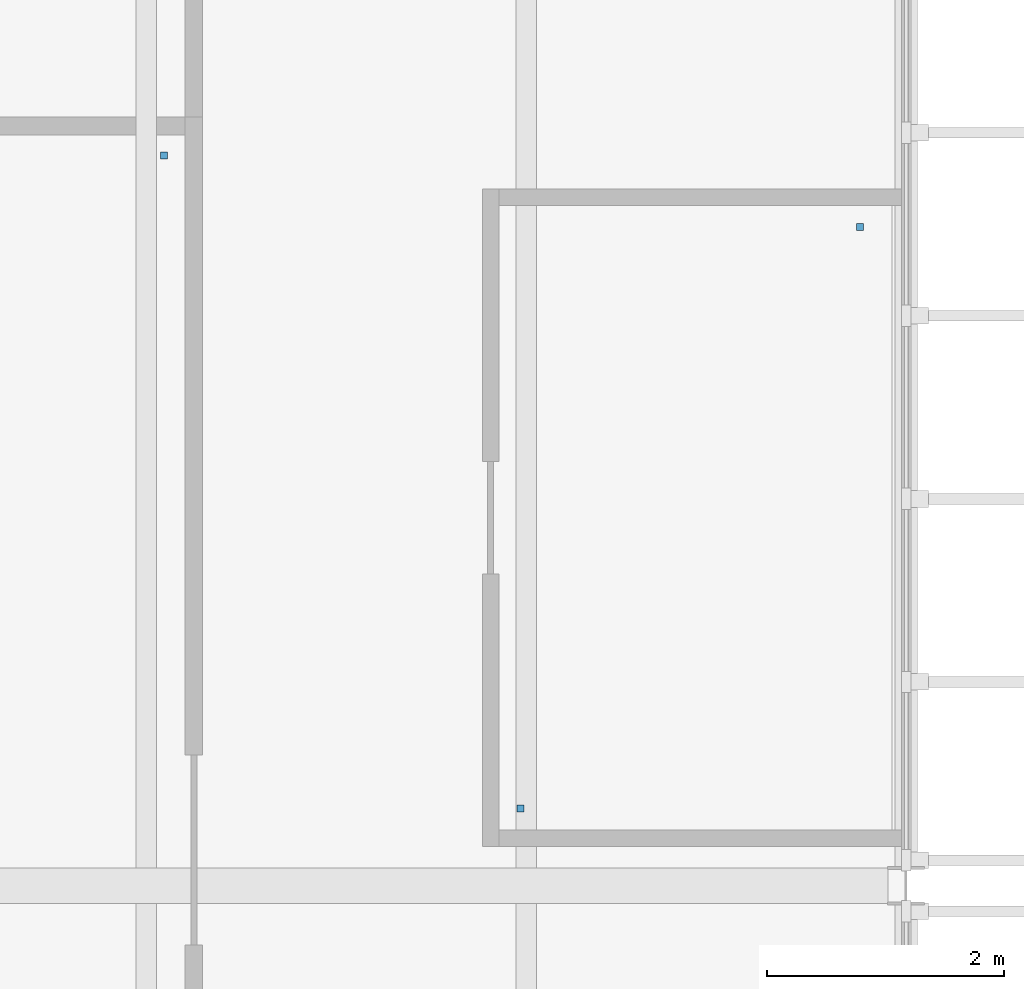
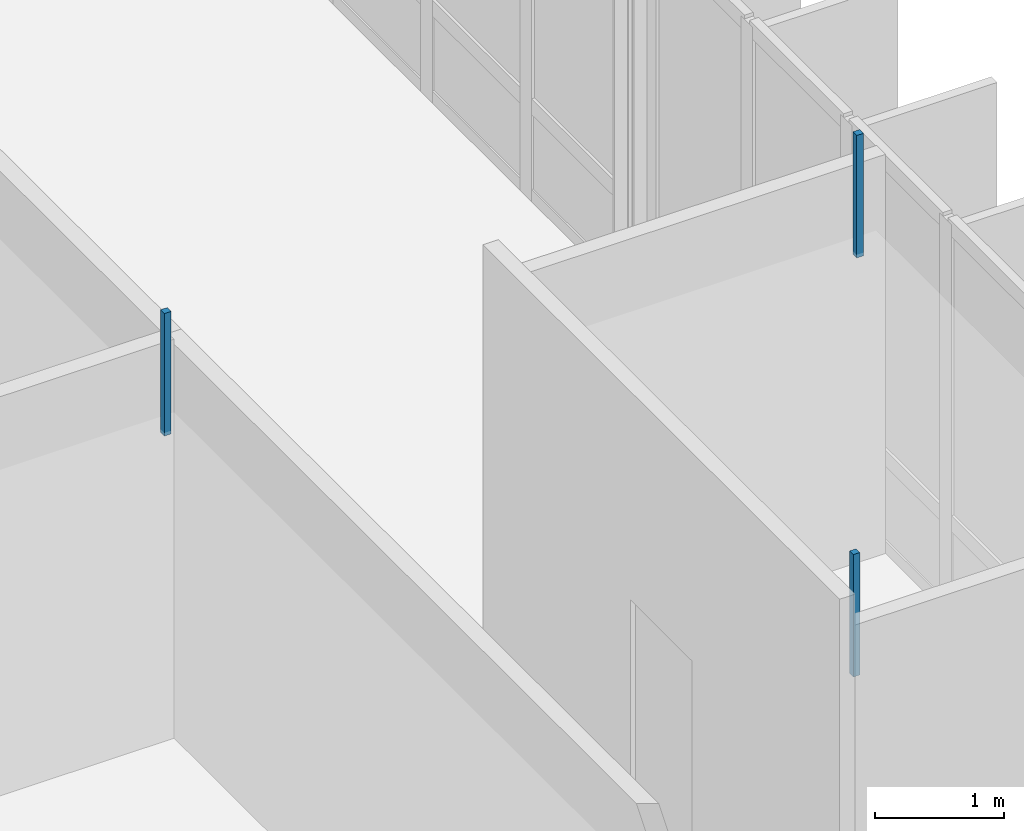
# One storey, part 84 of 110: 3 discrete accessories.
"""IFC4 building model written with IfcOpenShell, lengths in metres."""

from ifc_helpers import new_model, si_unit, direction, frame, origin, place, context, subcontext, project, spatial, polyline, outline, extrude, material, type_object, element, save


model = new_model("IFC4")

# Units and contexts
model_context = context("Model", 3, precision=1e-05, world=origin(), true_north=direction((0.0, 1.0)))
body_context = subcontext(model_context, "Body", "Model", "MODEL_VIEW")
ifc_project = project(units=[si_unit("LENGTHUNIT", "METRE"), si_unit("AREAUNIT", "SQUARE_METRE"), si_unit("VOLUMEUNIT", "CUBIC_METRE"), si_unit("PLANEANGLEUNIT", "RADIAN"), si_unit("MASSUNIT", "GRAM", prefix="KILO")], contexts=[model_context])

# Site, building, storey
site_placement = place(None, origin())
site = spatial("IfcSite", under=ifc_project, at=site_placement, CompositionType="ELEMENT")
building_placement = place(site_placement, origin())
building = spatial("IfcBuilding", under=site, at=building_placement, Name="Dunescarp Central Library", CompositionType="ELEMENT")
storey_placement = place(building_placement, frame((0.0, 0.0, 9.60009765625)))
storey = spatial("IfcBuildingStorey", under=building, at=storey_placement, Name="L02", CompositionType="ELEMENT", Elevation=9.60009765625)

# Discrete accessories
ifc_material = material(Name="Stainless steel Grade 316L", Category="steel")
discrete_accessory_type = type_object("IfcDiscreteAccessoryType", Name="ARC-ACC-BRK", PredefinedType="BRACKET", material=ifc_material)
discrete_accessory_1_placement = place(storey_placement, frame((0.0, 0.0, 3.059814453125)))
element("IfcDiscreteAccessory", 1, at=discrete_accessory_1_placement, inside=storey, type_object=discrete_accessory_type, Name="L02 ceiling hanger CLG-L02-130-H1", PredefinedType="BRACKET", context=body_context, shape_type="SweptSolid", body=[
    extrude(outline(polyline([(25.52001953125, 71.02001953125), (25.580078125, 71.02001953125), (25.580078125, 71.080078125), (25.52001953125, 71.080078125), (25.52001953125, 71.02001953125)])), origin(), (0.0, 0.0, 1.0), 1.16015625),
])
discrete_accessory_2_placement = place(storey_placement, frame((0.0, 0.0, 3.059814453125)))
element("IfcDiscreteAccessory", 2, at=discrete_accessory_2_placement, inside=storey, type_object=discrete_accessory_type, Name="L02 ceiling hanger CLG-L02-130-H2", PredefinedType="BRACKET", context=body_context, shape_type="SweptSolid", body=[
    extrude(outline(polyline([(28.3798828125, 75.919921875), (28.43994140625, 75.919921875), (28.43994140625, 75.97998046875), (28.3798828125, 75.97998046875), (28.3798828125, 75.919921875)])), origin(), (0.0, 0.0, 1.0), 1.16015625),
])
discrete_accessory_3_placement = place(storey_placement, frame((0.0, 0.0, 3.059814453125)))
element("IfcDiscreteAccessory", 3, at=discrete_accessory_3_placement, inside=storey, type_object=discrete_accessory_type, Name="L02 ceiling hanger CLG-L02-131-H2", PredefinedType="BRACKET", context=body_context, shape_type="SweptSolid", body=[
    extrude(outline(polyline([(22.52001953125, 76.52001953125), (22.580078125, 76.52001953125), (22.580078125, 76.580078125), (22.52001953125, 76.580078125), (22.52001953125, 76.52001953125)])), origin(), (0.0, 0.0, 1.0), 1.16015625),
])

save(model, "model.ifc")
